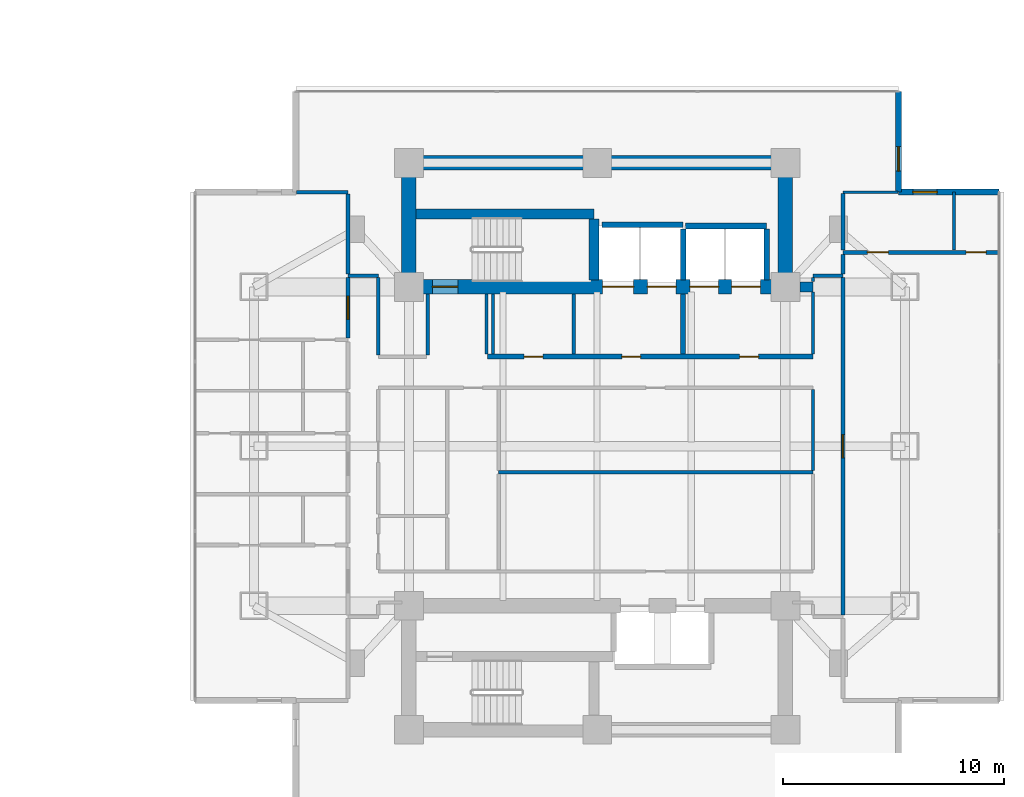
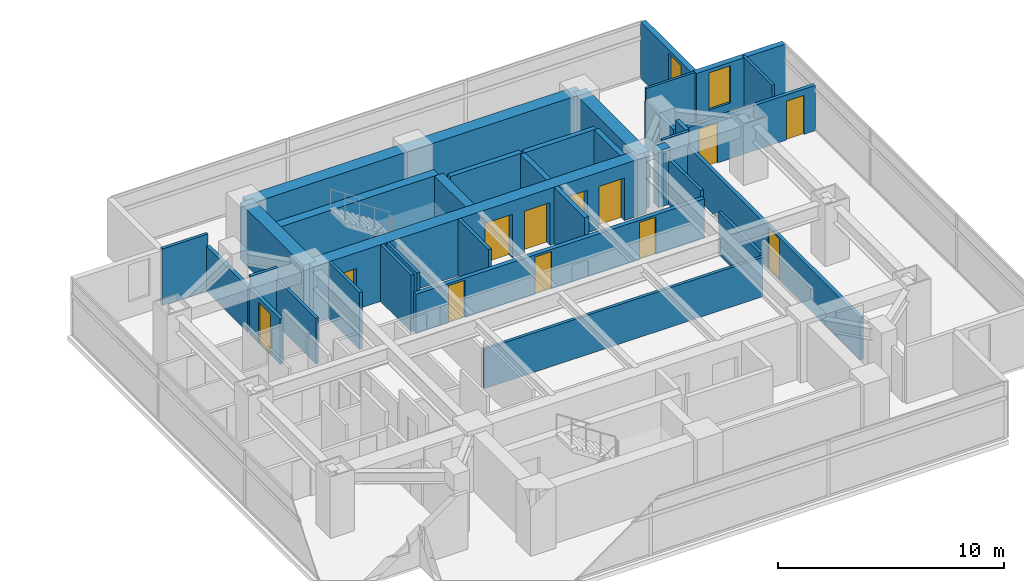
# One storey, part 17 of 24: 35 walls, 12 doors, 2 windows, 14 openings.
"""IFC4 building model written with IfcOpenShell, lengths in metres."""

import ifcopenshell
import ifcopenshell.guid

model = None  # the IFC model being written
_history = None  # IfcOwnerHistory: only IFC2X3 demands one
_inside = {}  # id of a spatial element -> (the spatial element, [elements in it])
_under = {}  # id of a project, library or spatial element -> (it, [spatial elements below it])
_declared = {}  # id of a project -> (the project, [libraries it declares])
_typed = {}  # id of a type object -> (the type object, [elements of that type])
_made_of = {}  # id of a material, layer set ... -> (it, [elements and type objects made of it])


def new_model(schema):
    """Start an empty IFC model of exactly this schema.

    Asked for "IFC4X3", IfcOpenShell would pick the latest addendum, in which some entities
    have other attributes; the version numbers below select the first issue.
    IFC2X3 requires an IfcOwnerHistory on every rooted entity: one is made here for all.
    """
    global model, _history
    if schema == "IFC4X3":
        model = ifcopenshell.file(schema_version=(4, 3, 0, 0))
    else:
        model = ifcopenshell.file(schema=schema)
    _inside.clear()
    _under.clear()
    _declared.clear()
    _typed.clear()
    _made_of.clear()
    _history = None
    if model.schema == "IFC2X3":
        org = make("IfcOrganization", Name="unknown")
        user = make(
            "IfcPersonAndOrganization",
            ThePerson=make("IfcPerson", FamilyName="unknown"),
            TheOrganization=org,
        )
        app = make(
            "IfcApplication",
            ApplicationDeveloper=org,
            Version="unknown",
            ApplicationFullName="unknown",
            ApplicationIdentifier="unknown",
        )
        _history = make(
            "IfcOwnerHistory",
            OwningUser=user,
            OwningApplication=app,
            ChangeAction="ADDED",
            CreationDate=0,
        )
    return model


def make(cls, **values):
    """One entity of the class cls with the attributes given. An attribute that is None is left unset."""
    return model.create_entity(
        cls, **{name: value for name, value in values.items() if value is not None}
    )


def rooted(cls, **values):
    """An entity with a GlobalId (a new one), such as an element, a storey or a relation."""
    return make(cls, GlobalId=ifcopenshell.guid.new(), OwnerHistory=_history, **values)


def si_unit(unit_type, name, prefix=None):
    """IfcSIUnit, for example si_unit("LENGTHUNIT", "METRE", prefix="MILLI")."""
    return make("IfcSIUnit", UnitType=unit_type, Prefix=prefix, Name=name)


def assignment(units):
    """IfcUnitAssignment: the units of a project."""
    return None if units is None else make("IfcUnitAssignment", Units=units)


def point(xyz):
    """IfcCartesianPoint."""
    return None if xyz is None else make("IfcCartesianPoint", Coordinates=xyz)


def direction(xyz):
    """IfcDirection."""
    return None if xyz is None else make("IfcDirection", DirectionRatios=xyz)


def frame(location, z_axis=None, x_axis=None):
    """IfcAxis2Placement3D, a coordinate frame: its origin and axes. An axis left out is left unset."""
    return make(
        "IfcAxis2Placement3D",
        Location=point(location),
        Axis=direction(z_axis),
        RefDirection=direction(x_axis),
    )


def frame_2d(location, x_axis=None):
    """IfcAxis2Placement2D, a coordinate frame in the plane: its origin and x axis."""
    return make(
        "IfcAxis2Placement2D", Location=point(location), RefDirection=direction(x_axis)
    )


def origin():
    """The frame at (0, 0, 0) with its axes left unset."""
    return frame((0.0, 0.0, 0.0))


def place(relative_to, where):
    """IfcLocalPlacement: puts the frame where relative to a parent placement (None: the world)."""
    return make(
        "IfcLocalPlacement", PlacementRelTo=relative_to, RelativePlacement=where
    )


def context(
    kind, dimensions, precision=None, world=None, true_north=None, identifier=None
):
    """IfcGeometricRepresentationContext, for example the 3D "Model" context."""
    return make(
        "IfcGeometricRepresentationContext",
        ContextIdentifier=identifier,
        ContextType=kind,
        CoordinateSpaceDimension=dimensions,
        Precision=precision,
        WorldCoordinateSystem=world,
        TrueNorth=true_north,
    )


def subcontext(parent, identifier, kind, view, scale=None):
    """IfcGeometricRepresentationSubContext, for example "Body" below "Model"."""
    return make(
        "IfcGeometricRepresentationSubContext",
        ContextIdentifier=identifier,
        ContextType=kind,
        ParentContext=parent,
        TargetScale=scale,
        TargetView=view,
    )


def project(units=None, contexts=None):
    """IfcProject with its units and contexts."""
    return rooted(
        "IfcProject",
        Name="project",
        RepresentationContexts=contexts,
        UnitsInContext=assignment(units),
    )


def spatial(cls, under=None, at=None, **own):
    """A site, building, storey or space (cls), placed at a placement, below another one or the project."""
    s = rooted(cls, ObjectPlacement=at, **own)
    if under is not None:
        _under.setdefault(under.id(), (under, []))[1].append(s)
    return s


def profile(cls, at=None, kind="AREA", **sizes):
    """A parametric profile (cls). Its sizes go by their IFC names, for example OverallWidth=200.0."""
    return make(cls, ProfileType=kind, Position=at, **sizes)


def rectangle(**sizes):
    """IfcRectangleProfileDef."""
    return profile("IfcRectangleProfileDef", **sizes)


def extrude(swept, where, along, depth):
    """IfcExtrudedAreaSolid: the profile swept, set in the frame where, extruded along a direction by depth."""
    return make(
        "IfcExtrudedAreaSolid",
        SweptArea=swept,
        Position=where,
        ExtrudedDirection=direction(along),
        Depth=depth,
    )


def shape(context_of_items, identifier, shape_type, items):
    """IfcShapeRepresentation: the items that make up one representation, for example the "Body"."""
    return make(
        "IfcShapeRepresentation",
        ContextOfItems=context_of_items,
        RepresentationIdentifier=identifier,
        RepresentationType=shape_type,
        Items=items,
    )


def material(Name=None, Category=None):
    """IfcMaterial."""
    return make("IfcMaterial", Name=Name, Category=Category)


def layer(
    of_material, thickness, ventilated=None, Name=None, Category=None, Priority=None
):
    """IfcMaterialLayer: one layer of a wall or slab, of a material (None: an air gap)."""
    return make(
        "IfcMaterialLayer",
        Material=of_material,
        LayerThickness=thickness,
        IsVentilated=ventilated,
        Name=Name,
        Category=Category,
        Priority=Priority,
    )


def layer_set(layers, Name=None):
    """IfcMaterialLayerSet."""
    return make("IfcMaterialLayerSet", MaterialLayers=layers, LayerSetName=Name)


def made_of(thing, what):
    """Note that an element or type object is made of a material, layer set ...; save() writes the relation."""
    if what is not None:
        _made_of.setdefault(what.id(), (what, []))[1].append(thing)
    return thing


def type_object(cls, material=None, **own):
    """A type object (cls), such as IfcWallType, which elements share."""
    return made_of(rooted(cls, **own), material)


def element(
    cls,
    number,
    at=None,
    inside=None,
    cuts=None,
    type_object=None,
    material=None,
    context=None,
    identifier="Body",
    shape_type=None,
    held_by="IfcProductDefinitionShape",
    body=None,
    shapes=None,
    **own,
):
    """One element of the class cls, such as IfcWall. Its Tag is "e" and its number.

    at: its placement. inside: the storey or other place that contains it. cuts: it is an
    opening in that element (IfcRelVoidsElement). A single representation is given by context,
    identifier, shape_type and body (its items); several are given by shapes. held_by: the class
    of the entity that holds the representations. save() writes the other relations.
    """
    e = rooted(cls, Tag="e%d" % number, ObjectPlacement=at, **own)
    if body is not None:
        shapes = [shape(context, identifier, shape_type, body)]
    if shapes is not None:
        e.Representation = make(held_by, Representations=shapes)
    if inside is not None:
        _inside.setdefault(inside.id(), (inside, []))[1].append(e)
    if cuts is not None:
        rooted(
            "IfcRelVoidsElement", RelatingBuildingElement=cuts, RelatedOpeningElement=e
        )
    if type_object is not None:
        _typed.setdefault(type_object.id(), (type_object, []))[1].append(e)
    return made_of(e, material)


def fill(opening, filler):
    """IfcRelFillsElement: the door or window that sits in an opening."""
    return rooted(
        "IfcRelFillsElement",
        RelatingOpeningElement=opening,
        RelatedBuildingElement=filler,
    )


def aggregate(whole, parts):
    """IfcRelAggregates: a whole, such as a stair, and the parts it consists of."""
    return rooted("IfcRelAggregates", RelatingObject=whole, RelatedObjects=parts)


def save(model, path):
    """Write the relations noted so far, then the file.

    IfcRelAggregates (storeys below a building ...), IfcRelContainedInSpatialStructure (elements
    in a storey), IfcRelDefinesByType, IfcRelAssociatesMaterial and IfcRelDeclares: one each for
    every whole, place, type object, material and project.
    """
    for whole, parts in _under.values():
        aggregate(whole, parts)
    for where, things in _inside.values():
        rooted(
            "IfcRelContainedInSpatialStructure",
            RelatedElements=things,
            RelatingStructure=where,
        )
    for kind, things in _typed.values():
        rooted("IfcRelDefinesByType", RelatedObjects=things, RelatingType=kind)
    for what, things in _made_of.values():
        rooted("IfcRelAssociatesMaterial", RelatedObjects=things, RelatingMaterial=what)
    for by, libraries in _declared.values():
        rooted("IfcRelDeclares", RelatingContext=by, RelatedDefinitions=libraries)
    model.write(path)


model = new_model("IFC4")

# Units and contexts
model_context = context("Model", 3, precision=1e-05, world=origin(), true_north=direction((0.0, 1.0)))
body_context = subcontext(model_context, "Body", "Model", "MODEL_VIEW")
ifc_project = project(units=[si_unit("LENGTHUNIT", "METRE"), si_unit("AREAUNIT", "SQUARE_METRE"), si_unit("VOLUMEUNIT", "CUBIC_METRE"), si_unit("PLANEANGLEUNIT", "RADIAN"), si_unit("MASSUNIT", "GRAM", prefix="KILO")], contexts=[model_context])

# Site, building, storey
site_placement = place(None, origin())
site = spatial("IfcSite", under=ifc_project, at=site_placement, CompositionType="ELEMENT")
building_placement = place(site_placement, origin())
building = spatial("IfcBuilding", under=site, at=building_placement, Name="Mirazonda Arch Towers", CompositionType="ELEMENT")
storey_placement = place(building_placement, frame((0.0, 0.0, 62.0)))
storey = spatial("IfcBuildingStorey", under=building, at=storey_placement, Name="L17", CompositionType="ELEMENT", Elevation=62.0)

# Walls
ifc_material_1 = material(Name="Concrete C50/60", Category="concrete")
ifc_layer_1 = layer(ifc_material_1, 0.449951171875, Name="WALL-CORE-450")
ifc_layer_set_1 = layer_set([ifc_layer_1], Name="Concrete C50/60")
wall_type_1 = type_object("IfcWallType", Name="WALL-CORE-450", PredefinedType="SHEAR", material=ifc_layer_set_1)
wall_1_placement = place(storey_placement, frame((85.6650390625, 35.199951171875, 0.0), z_axis=(0.0, 0.0, 1.0), x_axis=(1.0, 0.0, 0.0)))
element("IfcWall", 1, at=wall_1_placement, inside=storey, type_object=wall_type_1, Name="L17 Stair Core Shear Wall 045", PredefinedType="SHEAR", context=body_context, shape_type="SweptSolid", body=[
    extrude(rectangle(XDim=0.5849609375, YDim=0.449951171875, at=frame_2d((0.29248046875, 0.0))), origin(), (0.0, 0.0, 1.0), 3.06005859375),
])
wall_2_placement = place(storey_placement, frame((68.320068359375, 38.5, 0.0), z_axis=(0.0, 0.0, 1.0), x_axis=(1.0, 0.0, 0.0)))
element("IfcWall", 2, at=wall_2_placement, inside=storey, type_object=wall_type_1, Name="L17 Stair Core Shear Wall 052", PredefinedType="SHEAR", context=body_context, shape_type="SweptSolid", body=[
    extrude(rectangle(XDim=8.0400390625, YDim=0.449951171875, at=frame_2d((4.02001953125, 0.0))), origin(), (0.0, 0.0, 1.0), 3.06005859375),
])
wall_3_placement = place(storey_placement, frame((76.360107421875, 35.52001953125, 0.0), z_axis=(0.0, 0.0, 1.0), x_axis=(0.0, 1.0, 0.0)))
element("IfcWall", 3, at=wall_3_placement, inside=storey, type_object=wall_type_1, Name="L17 Stair Core Shear Wall 140", PredefinedType="SHEAR", context=body_context, shape_type="SweptSolid", body=[
    extrude(rectangle(XDim=2.744873046875, YDim=0.449951171875, at=frame_2d((1.37255859375, 0.0))), origin(), (0.0, 0.0, 1.0), 3.06005859375),
])
ifc_material_2 = material(Name="Concrete C60/75", Category="concrete")
ifc_layer_2 = layer(ifc_material_2, 0.64990234375, Name="WALL-CORE-650")
ifc_layer_set_2 = layer_set([ifc_layer_2], Name="Concrete C60/75")
wall_type_2 = type_object("IfcWallType", Name="WALL-CORE-650", PredefinedType="SHEAR", material=ifc_layer_set_2)
wall_4_placement = place(storey_placement, frame((68.0, 40.800048828125, 0.0), z_axis=(0.0, 0.0, 1.0), x_axis=(1.0, 0.0, 0.0)))
element("IfcWall", 4, at=wall_4_placement, inside=storey, type_object=wall_type_2, Name="L17 T2N-N Core Shear Wall", PredefinedType="SHEAR", context=body_context, shape_type="SweptSolid", body=[
    extrude(rectangle(XDim=17.0, YDim=0.64990234375, at=frame_2d((8.5, 0.0))), origin(), (0.0, 0.0, 1.0), 3.06005859375),
])
for number, where, z_axis, x_axis, name in (
    (5, (68.0, 35.199951171875, 0.0), (0.0, 0.0, 1.0), (0.0, 1.0, 0.0), "L17 T2N-W Core Shear Wall"),
    (6, (85.0, 35.199951171875, 0.0), (0.0, 0.0, 1.0), (0.0, 1.0, 0.0), "L17 T2N-E Core Shear Wall"),
):
    element("IfcWall", number, at=place(storey_placement, frame(where, z_axis=z_axis, x_axis=x_axis)), inside=storey, type_object=wall_type_2, Name=name, PredefinedType="SHEAR", context=body_context, shape_type="SweptSolid", body=[
        extrude(rectangle(XDim=5.60009765625, YDim=0.64990234375, at=frame_2d((2.800048828125, 0.0))), origin(), (0.0, 0.0, 1.0), 3.06005859375),
    ])

# Wall, openings, doors
wall_5_placement = place(storey_placement, frame((68.0, 35.199951171875, 0.0), z_axis=(0.0, 0.0, 1.0), x_axis=(1.0, 0.0, 0.0)))
wall_5 = element("IfcWall", 7, at=wall_5_placement, inside=storey, type_object=wall_type_2, Name="L17 T2N-S Core Shear Wall", PredefinedType="SHEAR", context=body_context, shape_type="SweptSolid", body=[
    extrude(rectangle(XDim=17.0, YDim=0.64990234375, at=frame_2d((8.5, 0.0))), origin(), (0.0, 0.0, 1.0), 3.06005859375),
])
opening_1_placement = place(wall_5_placement, frame((1.06005859375, 0.0, 0.0)))
opening_1 = element("IfcOpeningElement", 8, at=opening_1_placement, cuts=wall_5, Name="Opening DR-135", PredefinedType="OPENING", context=body_context, shape_type="SweptSolid", body=[
    extrude(rectangle(XDim=1.14990234375, YDim=2.199951171875, at=frame_2d((0.574951171875, 1.10009765625))), frame((0.0, 0.3349609375, 0.0), z_axis=(0.0, -1.0, 0.0), x_axis=(1.0, 0.0, 0.0)), (0.0, 0.0, 1.0), 0.669921875),
])
opening_2_placement = place(wall_5_placement, frame((8.75, 0.0, 0.0)))
opening_2 = element("IfcOpeningElement", 9, at=opening_2_placement, cuts=wall_5, Name="Opening LD-112", PredefinedType="OPENING", context=body_context, shape_type="SweptSolid", body=[
    extrude(rectangle(XDim=1.39990234375, YDim=2.35009765625, at=frame_2d((0.699951171875, 1.175048828125))), frame((0.0, 0.3349609375, 0.0), z_axis=(0.0, -1.0, 0.0), x_axis=(1.0, 0.0, 0.0)), (0.0, 0.0, 1.0), 0.669921875),
])
opening_3_placement = place(wall_5_placement, frame((10.77001953125, 0.0, 0.0)))
opening_3 = element("IfcOpeningElement", 10, at=opening_3_placement, cuts=wall_5, Name="Opening LD-111", PredefinedType="OPENING", context=body_context, shape_type="SweptSolid", body=[
    extrude(rectangle(XDim=1.300048828125, YDim=2.300048828125, at=frame_2d((0.64990234375, 1.14990234375))), frame((0.0, 0.3349609375, 0.0), z_axis=(0.0, -1.0, 0.0), x_axis=(1.0, 0.0, 0.0)), (0.0, 0.0, 1.0), 0.669921875),
])
opening_4_placement = place(wall_5_placement, frame((12.68994140625, 0.0, 0.0)))
opening_4 = element("IfcOpeningElement", 11, at=opening_4_placement, cuts=wall_5, Name="Opening LD-111", PredefinedType="OPENING", context=body_context, shape_type="SweptSolid", body=[
    extrude(rectangle(XDim=1.300048828125, YDim=2.300048828125, at=frame_2d((0.64990234375, 1.14990234375))), frame((0.0, 0.3349609375, 0.0), z_axis=(0.0, -1.0, 0.0), x_axis=(1.0, 0.0, 0.0)), (0.0, 0.0, 1.0), 0.669921875),
])
opening_5_placement = place(wall_5_placement, frame((14.570068359375, 0.0, 0.0)))
opening_5 = element("IfcOpeningElement", 12, at=opening_5_placement, cuts=wall_5, Name="Opening LD-111", PredefinedType="OPENING", context=body_context, shape_type="SweptSolid", body=[
    extrude(rectangle(XDim=1.300048828125, YDim=2.300048828125, at=frame_2d((0.64990234375, 1.14990234375))), frame((0.0, 0.3349609375, 0.0), z_axis=(0.0, -1.0, 0.0), x_axis=(1.0, 0.0, 0.0)), (0.0, 0.0, 1.0), 0.669921875),
])
ifc_material_3 = material(Name="Architectural Brushed Steel S355", Category="steel")
door_type_1 = type_object("IfcDoorType", Name="DOOR-LIFT-FFL-1400", OperationType="NOTDEFINED", PredefinedType="DOOR", material=ifc_material_3)
door_1_placement = place(opening_2_placement, origin())
door_1 = element("IfcDoor", 13, at=door_1_placement, inside=storey, type_object=door_type_1, Name="L17 Lift Landing Sliding Door FFL-T2", OperationType="DOUBLE_DOOR_SLIDING", OverallHeight=2.35009765625, OverallWidth=1.39990234375, PredefinedType="DOOR", context=body_context, shape_type="SweptSolid", body=[
    extrude(rectangle(XDim=1.39990234375, YDim=2.35009765625, at=frame_2d((0.699951171875, 1.175048828125))), frame((0.0, 0.02490234375, 0.0), z_axis=(0.0, -1.0, 0.0), x_axis=(1.0, 0.0, 0.0)), (0.0, 0.0, 1.0), 0.050048828125),
])
fill(opening_2, door_1)
door_type_2 = type_object("IfcDoorType", Name="DOOR-LIFT-LAND-1300", OperationType="NOTDEFINED", PredefinedType="DOOR", material=ifc_material_3)
door_2_placement = place(opening_3_placement, origin())
door_2 = element("IfcDoor", 14, at=door_2_placement, inside=storey, type_object=door_type_2, Name="L17 Lift Landing Sliding Door SVL-T2", OperationType="DOUBLE_DOOR_SLIDING", OverallHeight=2.300048828125, OverallWidth=1.300048828125, PredefinedType="DOOR", context=body_context, shape_type="SweptSolid", body=[
    extrude(rectangle(XDim=1.300048828125, YDim=2.300048828125, at=frame_2d((0.64990234375, 1.14990234375))), frame((0.0, 0.02490234375, 0.0), z_axis=(0.0, -1.0, 0.0), x_axis=(1.0, 0.0, 0.0)), (0.0, 0.0, 1.0), 0.050048828125),
])
fill(opening_3, door_2)
door_3_placement = place(opening_4_placement, origin())
door_3 = element("IfcDoor", 15, at=door_3_placement, inside=storey, type_object=door_type_2, Name="L17 Lift Landing Sliding Door PL-T2L1", OperationType="DOUBLE_DOOR_SLIDING", OverallHeight=2.300048828125, OverallWidth=1.300048828125, PredefinedType="DOOR", context=body_context, shape_type="SweptSolid", body=[
    extrude(rectangle(XDim=1.300048828125, YDim=2.300048828125, at=frame_2d((0.64990234375, 1.14990234375))), frame((0.0, 0.02490234375, 0.0), z_axis=(0.0, -1.0, 0.0), x_axis=(1.0, 0.0, 0.0)), (0.0, 0.0, 1.0), 0.050048828125),
])
fill(opening_4, door_3)
door_4_placement = place(opening_5_placement, origin())
door_4 = element("IfcDoor", 16, at=door_4_placement, inside=storey, type_object=door_type_2, Name="L17 Lift Landing Sliding Door PL-T2L2", OperationType="DOUBLE_DOOR_SLIDING", OverallHeight=2.300048828125, OverallWidth=1.300048828125, PredefinedType="DOOR", context=body_context, shape_type="SweptSolid", body=[
    extrude(rectangle(XDim=1.300048828125, YDim=2.300048828125, at=frame_2d((0.64990234375, 1.14990234375))), frame((0.0, 0.02490234375, 0.0), z_axis=(0.0, -1.0, 0.0), x_axis=(1.0, 0.0, 0.0)), (0.0, 0.0, 1.0), 0.050048828125),
])
fill(opening_5, door_4)
door_type_3 = type_object("IfcDoorType", Name="DOOR-STAIR-FD90-1150", OperationType="NOTDEFINED", PredefinedType="DOOR", material=ifc_material_3)
door_5_placement = place(opening_1_placement, origin())
door_5 = element("IfcDoor", 17, at=door_5_placement, inside=storey, type_object=door_type_3, Name="L17 East Protected Stair North Door", OperationType="SINGLE_SWING_LEFT", OverallHeight=2.199951171875, OverallWidth=1.14990234375, PredefinedType="DOOR", context=body_context, shape_type="SweptSolid", body=[
    extrude(rectangle(XDim=1.14990234375, YDim=2.199951171875, at=frame_2d((0.574951171875, 1.10009765625))), frame((0.0, 0.02490234375, 0.0), z_axis=(0.0, -1.0, 0.0), x_axis=(1.0, 0.0, 0.0)), (0.0, 0.0, 1.0), 0.050048828125),
])
fill(opening_1, door_5)

# Wall, opening, window
ifc_material_4 = material(Name="Precast Concrete C40/50", Category="concrete")
ifc_layer_3 = layer(ifc_material_4, 0.280029296875, Name="WALL-EXT-WALL-280")
ifc_layer_set_3 = layer_set([ifc_layer_3], Name="Precast Concrete C40/50")
wall_type_3 = type_object("IfcWallType", Name="WALL-EXT-WALL-280", PredefinedType="SOLIDWALL", material=ifc_layer_set_3)
wall_6_placement = place(storey_placement, frame((90.10791015625, 39.47998046875, 0.0), z_axis=(0.0, 0.0, 1.0), x_axis=(0.0, 1.0, 0.0)))
wall_6 = element("IfcWall", 18, at=wall_6_placement, inside=storey, type_object=wall_type_3, Name="L17 T2 Notched NE Corner Wall WL-L17-T2-CNE", PredefinedType="SOLIDWALL", context=body_context, shape_type="SweptSolid", body=[
    extrude(rectangle(XDim=4.5458984375, YDim=0.280029296875, at=frame_2d((2.27294921875, 0.0))), origin(), (0.0, 0.0, 1.0), 3.0400390625),
])
opening_6_placement = place(wall_6_placement, frame((0.949951171875, 0.0, 0.85009765625)))
opening_6 = element("IfcOpeningElement", 19, at=opening_6_placement, cuts=wall_6, Name="Opening WN-108", PredefinedType="OPENING", context=body_context, shape_type="SweptSolid", body=[
    extrude(rectangle(XDim=1.10009765625, YDim=2.0, at=frame_2d((0.550048828125, 1.0))), frame((0.0, 0.14990234375, 0.0), z_axis=(0.0, -1.0, 0.0), x_axis=(1.0, 0.0, 0.0)), (0.0, 0.0, 1.0), 0.300048828125),
])
ifc_material_5 = material(Name="Insulated Low-E Solar Glass", Category="glass")
window_type = type_object("IfcWindowType", Name="WIN-NOTCH-1100x2000", PartitioningType="SINGLE_PANEL", PredefinedType="WINDOW", material=ifc_material_5)
window_1_placement = place(opening_6_placement, origin())
window_1 = element("IfcWindow", 20, at=window_1_placement, inside=storey, type_object=window_type, Name="L17 Punched Facade Window WN-L17-T2-CNE", OverallHeight=2.0, OverallWidth=1.10009765625, PartitioningType="SINGLE_PANEL", PredefinedType="WINDOW", context=body_context, shape_type="SweptSolid", body=[
    extrude(rectangle(XDim=1.10009765625, YDim=2.0, at=frame_2d((0.550048828125, 1.0))), frame((0.0, 0.030029296875, 0.0), z_axis=(0.0, -1.0, 0.0), x_axis=(1.0, 0.0, 0.0)), (0.0, 0.0, 1.0), 0.06005859375),
])
fill(opening_6, window_1)

wall_7_placement = place(storey_placement, frame((94.654052734375, 39.47998046875, 0.0), z_axis=(0.0, 0.0, 1.0), x_axis=(-1.0, 0.0, 0.0)))
wall_7 = element("IfcWall", 21, at=wall_7_placement, inside=storey, type_object=wall_type_3, Name="L17 T2 Corner Notch Return Wall WL-L17-T2-CNE2", PredefinedType="SOLIDWALL", context=body_context, shape_type="SweptSolid", body=[
    extrude(rectangle(XDim=4.546142578125, YDim=0.280029296875, at=frame_2d((2.27294921875, 0.0))), origin(), (0.0, 0.0, 1.0), 3.0400390625),
])
opening_7_placement = place(wall_7_placement, frame((2.7958984375, 0.0, 0.85009765625)))
opening_7 = element("IfcOpeningElement", 22, at=opening_7_placement, cuts=wall_7, Name="Opening WN-108", PredefinedType="OPENING", context=body_context, shape_type="SweptSolid", body=[
    extrude(rectangle(XDim=1.10009765625, YDim=2.0, at=frame_2d((0.550048828125, 1.0))), frame((0.0, 0.14990234375, 0.0), z_axis=(0.0, -1.0, 0.0), x_axis=(1.0, 0.0, 0.0)), (0.0, 0.0, 1.0), 0.300048828125),
])
window_2_placement = place(opening_7_placement, origin())
window_2 = element("IfcWindow", 23, at=window_2_placement, inside=storey, type_object=window_type, Name="L17 Punched Facade Window WN-L17-T2-CNE2", OverallHeight=2.0, OverallWidth=1.10009765625, PartitioningType="SINGLE_PANEL", PredefinedType="WINDOW", context=body_context, shape_type="SweptSolid", body=[
    extrude(rectangle(XDim=1.10009765625, YDim=2.0, at=frame_2d((0.550048828125, 1.0))), frame((0.0, 0.030029296875, 0.0), z_axis=(0.0, -1.0, 0.0), x_axis=(1.0, 0.0, 0.0)), (0.0, 0.0, 1.0), 0.06005859375),
])
fill(opening_7, window_2)

# Wall, openings, doors
ifc_material_6 = material(Name="Concrete C40/50", Category="concrete")
ifc_layer_4 = layer(ifc_material_6, 0.219970703125, Name="WALL-FFL-220")
ifc_layer_set_4 = layer_set([ifc_layer_4], Name="Concrete C40/50")
wall_type_4 = type_object("IfcWallType", Name="WALL-FFL-220", PredefinedType="SOLIDWALL", material=ifc_layer_set_4)
wall_8_placement = place(storey_placement, frame((71.550048828125, 32.050048828125, 0.0), z_axis=(0.0, 0.0, 1.0), x_axis=(1.0, 0.0, 0.0)))
wall_8 = element("IfcWall", 24, at=wall_8_placement, inside=storey, type_object=wall_type_4, Name="L17 Interior Partition 039", PredefinedType="SOLIDWALL", context=body_context, shape_type="SweptSolid", body=[
    extrude(rectangle(XDim=14.699951171875, YDim=0.219970703125, at=frame_2d((7.35009765625, 0.0))), origin(), (0.0, 0.0, 1.0), 2.125),
])
opening_8_placement = place(wall_8_placement, frame((11.389892578125, 0.0, 0.0)))
opening_8 = element("IfcOpeningElement", 25, at=opening_8_placement, cuts=wall_8, Name="Opening DR-128", PredefinedType="OPENING", context=body_context, shape_type="SweptSolid", body=[
    extrude(rectangle(XDim=0.85009765625, YDim=2.010009765625, at=frame_2d((0.425048828125, 1.0048828125))), frame((0.0, 0.119873046875, 0.0), z_axis=(0.0, -1.0, 0.0), x_axis=(1.0, 0.0, 0.0)), (0.0, 0.0, 1.0), 0.239990234375),
])
opening_9_placement = place(wall_8_placement, frame((6.06494140625, 0.0, 0.0)))
opening_9 = element("IfcOpeningElement", 26, at=opening_9_placement, cuts=wall_8, Name="Opening DR-128", PredefinedType="OPENING", context=body_context, shape_type="SweptSolid", body=[
    extrude(rectangle(XDim=0.85009765625, YDim=2.010009765625, at=frame_2d((0.425048828125, 1.0048828125))), frame((0.0, 0.119873046875, 0.0), z_axis=(0.0, -1.0, 0.0), x_axis=(1.0, 0.0, 0.0)), (0.0, 0.0, 1.0), 0.239990234375),
])
opening_10_placement = place(wall_8_placement, frame((1.64990234375, 0.0, 0.0)))
opening_10 = element("IfcOpeningElement", 27, at=opening_10_placement, cuts=wall_8, Name="Opening DR-128", PredefinedType="OPENING", context=body_context, shape_type="SweptSolid", body=[
    extrude(rectangle(XDim=0.85009765625, YDim=2.010009765625, at=frame_2d((0.425048828125, 1.0048828125))), frame((0.0, 0.119873046875, 0.0), z_axis=(0.0, -1.0, 0.0), x_axis=(1.0, 0.0, 0.0)), (0.0, 0.0, 1.0), 0.239990234375),
])
door_type_4 = type_object("IfcDoorType", Name="DOOR-RISER-FD60-850", OperationType="NOTDEFINED", PredefinedType="DOOR", material=ifc_material_3)
door_6_placement = place(opening_8_placement, origin())
door_6 = element("IfcDoor", 28, at=door_6_placement, inside=storey, type_object=door_type_4, Name="L17 East Passenger Lift Lobby Door", OperationType="SINGLE_SWING_RIGHT", OverallHeight=2.010009765625, OverallWidth=0.85009765625, PredefinedType="DOOR", context=body_context, shape_type="SweptSolid", body=[
    extrude(rectangle(XDim=0.85009765625, YDim=2.010009765625, at=frame_2d((0.425048828125, 1.0048828125))), frame((0.0, 0.02490234375, 0.0), z_axis=(0.0, -1.0, 0.0), x_axis=(1.0, 0.0, 0.0)), (0.0, 0.0, 1.0), 0.050048828125),
])
fill(opening_8, door_6)
door_7_placement = place(opening_9_placement, origin())
door_7 = element("IfcDoor", 29, at=door_7_placement, inside=storey, type_object=door_type_4, Name="L17 East Firefighting Lift Lobby Door", OperationType="SINGLE_SWING_RIGHT", OverallHeight=2.010009765625, OverallWidth=0.85009765625, PredefinedType="DOOR", context=body_context, shape_type="SweptSolid", body=[
    extrude(rectangle(XDim=0.85009765625, YDim=2.010009765625, at=frame_2d((0.425048828125, 1.0048828125))), frame((0.0, 0.02490234375, 0.0), z_axis=(0.0, -1.0, 0.0), x_axis=(1.0, 0.0, 0.0)), (0.0, 0.0, 1.0), 0.050048828125),
])
fill(opening_9, door_7)
door_8_placement = place(opening_10_placement, origin())
door_8 = element("IfcDoor", 30, at=door_8_placement, inside=storey, type_object=door_type_4, Name="L17 Tower 2 Housekeeping & Linen Room Door", OperationType="SINGLE_SWING_LEFT", OverallHeight=2.010009765625, OverallWidth=0.85009765625, PredefinedType="DOOR", context=body_context, shape_type="SweptSolid", body=[
    extrude(rectangle(XDim=0.85009765625, YDim=2.010009765625, at=frame_2d((0.425048828125, 1.0048828125))), frame((0.0, 0.02490234375, 0.0), z_axis=(0.0, -1.0, 0.0), x_axis=(1.0, 0.0, 0.0)), (0.0, 0.0, 1.0), 0.050048828125),
])
fill(opening_10, door_8)

# Walls
wall_9_placement = place(storey_placement, frame((80.3798828125, 32.169921875, 0.0), z_axis=(0.0, 0.0, 1.0), x_axis=(0.0, 1.0, 0.0)))
element("IfcWall", 31, at=wall_9_placement, inside=storey, type_object=wall_type_4, Name="L17 Interior Partition 142", PredefinedType="SOLIDWALL", context=body_context, shape_type="SweptSolid", body=[
    extrude(rectangle(XDim=2.7099609375, YDim=0.219970703125, at=frame_2d((1.35498046875, 0.0))), origin(), (0.0, 0.0, 1.0), 3.06005859375),
])
ifc_material_7 = material(Name="Fire-Rated Gypsum Stud Partition")
ifc_layer_5 = layer(ifc_material_7, 0.14990234375, Name="WALL-PART-CORR-150")
ifc_layer_set_5 = layer_set([ifc_layer_5], Name="Fire-Rated Gypsum Stud Partition")
wall_type_5 = type_object("IfcWallType", Name="WALL-PART-CORR-150", PredefinedType="PARTITIONING", material=ifc_layer_set_5)
wall_10_placement = place(storey_placement, frame((72.050048828125, 26.83203125, 0.0), z_axis=(0.0, 0.0, 1.0), x_axis=(1.0, 0.0, 0.0)))
element("IfcWall", 32, at=wall_10_placement, inside=storey, type_object=wall_type_5, Name="L17 Interior Partition 030", PredefinedType="PARTITIONING", context=body_context, shape_type="SweptSolid", body=[
    extrude(rectangle(XDim=14.199951171875, YDim=0.14990234375, at=frame_2d((7.10009765625, 0.0))), origin(), (0.0, 0.0, 1.0), 2.125),
])
wall_11_placement = place(storey_placement, frame((65.25, 35.699951171875, 0.0), z_axis=(0.0, 0.0, 1.0), x_axis=(1.0, 0.0, 0.0)))
element("IfcWall", 33, at=wall_11_placement, inside=storey, type_object=wall_type_5, Name="L17 Interior Partition 046", PredefinedType="PARTITIONING", context=body_context, shape_type="SweptSolid", body=[
    extrude(rectangle(XDim=1.3701171875, YDim=0.14990234375, at=frame_2d((0.68505859375, 0.0))), origin(), (0.0, 0.0, 1.0), 3.06005859375),
])
wall_12_placement = place(storey_placement, frame((86.25, 35.699951171875, 0.0), z_axis=(0.0, 0.0, 1.0), x_axis=(1.0, 0.0, 0.0)))
element("IfcWall", 34, at=wall_12_placement, inside=storey, type_object=wall_type_5, Name="L17 Interior Partition 047", PredefinedType="PARTITIONING", context=body_context, shape_type="SweptSolid", body=[
    extrude(rectangle(XDim=1.35009765625, YDim=0.14990234375, at=frame_2d((0.675048828125, 0.0))), origin(), (0.0, 0.0, 1.0), 3.06005859375),
])
wall_13_placement = place(storey_placement, frame((62.912109375, 39.47998046875, 0.0), z_axis=(0.0, 0.0, 1.0), x_axis=(1.0, 0.0, 0.0)))
element("IfcWall", 35, at=wall_13_placement, inside=storey, type_object=wall_type_5, Name="L17 Interior Partition 053", PredefinedType="PARTITIONING", context=body_context, shape_type="SweptSolid", body=[
    extrude(rectangle(XDim=2.337890625, YDim=0.14990234375, at=frame_2d((1.1689453125, 0.0))), origin(), (0.0, 0.0, 1.0), 3.06005859375),
])
wall_14_placement = place(storey_placement, frame((66.6201171875, 32.135009765625, 0.0), z_axis=(0.0, 0.0, 1.0), x_axis=(0.0, 1.0, 0.0)))
element("IfcWall", 36, at=wall_14_placement, inside=storey, type_object=wall_type_5, Name="L17 Interior Partition 130", PredefinedType="PARTITIONING", context=body_context, shape_type="SweptSolid", body=[
    extrude(rectangle(XDim=3.47998046875, YDim=0.14990234375, at=frame_2d((1.739990234375, 0.0))), origin(), (0.0, 0.0, 1.0), 2.451904296875),
])
wall_15_placement = place(storey_placement, frame((68.85009765625, 32.135009765625, 0.0), z_axis=(0.0, 0.0, 1.0), x_axis=(0.0, 1.0, 0.0)))
element("IfcWall", 37, at=wall_15_placement, inside=storey, type_object=wall_type_5, Name="L17 Interior Partition 131", PredefinedType="PARTITIONING", context=body_context, shape_type="SweptSolid", body=[
    extrude(rectangle(XDim=2.744873046875, YDim=0.14990234375, at=frame_2d((1.37255859375, 0.0))), origin(), (0.0, 0.0, 1.0), 3.06005859375),
])
for number, where, z_axis, x_axis, name in (
    (38, (71.5, 32.169921875, 0.0), (0.0, 0.0, 1.0), (0.0, 1.0, 0.0), "L17 Interior Partition 134"),
    (39, (71.800048828125, 32.169921875, 0.0), (0.0, 0.0, 1.0), (0.0, 1.0, 0.0), "L17 Interior Partition 135"),
    (40, (75.449951171875, 32.169921875, 0.0), (0.0, 0.0, 1.0), (0.0, 1.0, 0.0), "L17 Interior Partition 138"),
):
    element("IfcWall", number, at=place(storey_placement, frame(where, z_axis=z_axis, x_axis=x_axis)), inside=storey, type_object=wall_type_5, Name=name, PredefinedType="PARTITIONING", context=body_context, shape_type="SweptSolid", body=[
        extrude(rectangle(XDim=2.7099609375, YDim=0.14990234375, at=frame_2d((1.35498046875, 0.0))), origin(), (0.0, 0.0, 1.0), 3.06005859375),
    ])
wall_16_placement = place(storey_placement, frame((86.25, 26.9169921875, 0.0), z_axis=(0.0, 0.0, 1.0), x_axis=(0.0, 1.0, 0.0)))
element("IfcWall", 41, at=wall_16_placement, inside=storey, type_object=wall_type_5, Name="L17 Interior Partition 148", PredefinedType="PARTITIONING", context=body_context, shape_type="SweptSolid", body=[
    extrude(rectangle(XDim=3.64794921875, YDim=0.14990234375, at=frame_2d((1.823974609375, 0.0))), origin(), (0.0, 0.0, 1.0), 2.279052734375),
])
wall_17_placement = place(storey_placement, frame((86.25, 32.169921875, 0.0), z_axis=(0.0, 0.0, 1.0), x_axis=(0.0, 1.0, 0.0)))
element("IfcWall", 42, at=wall_17_placement, inside=storey, type_object=wall_type_5, Name="L17 Interior Partition 149", PredefinedType="PARTITIONING", context=body_context, shape_type="SweptSolid", body=[
    extrude(rectangle(XDim=2.795166015625, YDim=0.14990234375, at=frame_2d((1.3974609375, 0.0))), origin(), (0.0, 0.0, 1.0), 2.451904296875),
])
wall_18_placement = place(storey_placement, frame((86.25, 35.43505859375, 0.0), z_axis=(0.0, 0.0, 1.0), x_axis=(0.0, 1.0, 0.0)))
element("IfcWall", 43, at=wall_18_placement, inside=storey, type_object=wall_type_5, Name="L17 Interior Partition 150", PredefinedType="PARTITIONING", context=body_context, shape_type="SweptSolid", body=[
    extrude(rectangle(XDim=0.179931640625, YDim=0.14990234375, at=frame_2d((0.08984375, 0.0))), origin(), (0.0, 0.0, 1.0), 2.451904296875),
])

# Wall, openings, doors
ifc_material_8 = material(Name="Fire-Rated Gypsum Twin-Stud Assembly")
ifc_layer_6 = layer(ifc_material_8, 0.179931640625, Name="WALL-PART-DEMISE-180")
ifc_layer_set_6 = layer_set([ifc_layer_6], Name="Fire-Rated Gypsum Twin-Stud Assembly")
wall_type_6 = type_object("IfcWallType", Name="WALL-PART-DEMISE-180", PredefinedType="PARTITIONING", material=ifc_layer_set_6)
wall_19_placement = place(storey_placement, frame((87.60009765625, 36.760009765625, 0.0), z_axis=(0.0, 0.0, 1.0), x_axis=(1.0, 0.0, 0.0)))
wall_19 = element("IfcWall", 44, at=wall_19_placement, inside=storey, type_object=wall_type_6, Name="L17 Interior Partition 048", PredefinedType="PARTITIONING", context=body_context, shape_type="SweptSolid", body=[
    extrude(rectangle(XDim=7.053955078125, YDim=0.179931640625, at=frame_2d((3.52685546875, 0.0))), origin(), (0.0, 0.0, 1.0), 2.43603515625),
])
opening_11_placement = place(wall_19_placement, frame((1.10205078125, 0.0, 0.0)))
opening_11 = element("IfcOpeningElement", 45, at=opening_11_placement, cuts=wall_19, Name="Opening DR-104", PredefinedType="OPENING", context=body_context, shape_type="SweptSolid", body=[
    extrude(rectangle(XDim=0.949951171875, YDim=2.14990234375, at=frame_2d((0.47509765625, 1.074951171875))), frame((0.0, 0.099853515625, 0.0), z_axis=(0.0, -1.0, 0.0), x_axis=(1.0, 0.0, 0.0)), (0.0, 0.0, 1.0), 0.199951171875),
])
opening_12_placement = place(wall_19_placement, frame((5.56396484375, 0.0, 0.0)))
opening_12 = element("IfcOpeningElement", 46, at=opening_12_placement, cuts=wall_19, Name="Opening DR-120", PredefinedType="OPENING", context=body_context, shape_type="SweptSolid", body=[
    extrude(rectangle(XDim=0.89990234375, YDim=2.10009765625, at=frame_2d((0.449951171875, 1.050048828125))), frame((0.0, 0.099853515625, 0.0), z_axis=(0.0, -1.0, 0.0), x_axis=(1.0, 0.0, 0.0)), (0.0, 0.0, 1.0), 0.199951171875),
])
door_type_5 = type_object("IfcDoorType", Name="DOOR-ROOM-950", OperationType="NOTDEFINED", PredefinedType="DOOR", material=ifc_material_3)
door_9_placement = place(opening_11_placement, origin())
door_9 = element("IfcDoor", 47, at=door_9_placement, inside=storey, type_object=door_type_5, Name="L17 Suite Bedroom 1 Door", OperationType="SINGLE_SWING_RIGHT", OverallHeight=2.14990234375, OverallWidth=0.949951171875, PredefinedType="DOOR", context=body_context, shape_type="SweptSolid", body=[
    extrude(rectangle(XDim=0.949951171875, YDim=2.14990234375, at=frame_2d((0.47509765625, 1.074951171875))), frame((0.0, 0.02490234375, 0.0), z_axis=(0.0, -1.0, 0.0), x_axis=(1.0, 0.0, 0.0)), (0.0, 0.0, 1.0), 0.050048828125),
])
fill(opening_11, door_9)
door_type_6 = type_object("IfcDoorType", Name="DOOR-WC-900", OperationType="NOTDEFINED", PredefinedType="DOOR", material=ifc_material_3)
door_10_placement = place(opening_12_placement, origin())
door_10 = element("IfcDoor", 48, at=door_10_placement, inside=storey, type_object=door_type_6, Name="L17 Suite En-Suite Bathroom 1 Door", OperationType="SINGLE_SWING_LEFT", OverallHeight=2.10009765625, OverallWidth=0.89990234375, PredefinedType="DOOR", context=body_context, shape_type="SweptSolid", body=[
    extrude(rectangle(XDim=0.89990234375, YDim=2.10009765625, at=frame_2d((0.449951171875, 1.050048828125))), frame((0.0, 0.02490234375, 0.0), z_axis=(0.0, -1.0, 0.0), x_axis=(1.0, 0.0, 0.0)), (0.0, 0.0, 1.0), 0.050048828125),
])
fill(opening_12, door_10)

# Wall, opening, door
wall_20_placement = place(storey_placement, frame((65.25, 32.89306640625, 0.0), z_axis=(0.0, 0.0, 1.0), x_axis=(0.0, 1.0, 0.0)))
wall_20 = element("IfcWall", 49, at=wall_20_placement, inside=storey, type_object=wall_type_6, Name="L17 Interior Partition 125", PredefinedType="PARTITIONING", context=body_context, shape_type="SweptSolid", body=[
    extrude(rectangle(XDim=2.721923828125, YDim=0.179931640625, at=frame_2d((1.36083984375, 0.0))), origin(), (0.0, 0.0, 1.0), 2.451904296875),
])
opening_13_placement = place(wall_20_placement, frame((0.8359375, 0.0, 0.0)))
opening_13 = element("IfcOpeningElement", 50, at=opening_13_placement, cuts=wall_20, Name="Opening DR-121", PredefinedType="OPENING", context=body_context, shape_type="SweptSolid", body=[
    extrude(rectangle(XDim=1.050048828125, YDim=2.199951171875, at=frame_2d((0.52490234375, 1.10009765625))), frame((0.0, 0.099853515625, 0.0), z_axis=(0.0, -1.0, 0.0), x_axis=(1.0, 0.0, 0.0)), (0.0, 0.0, 1.0), 0.199951171875),
])
door_type_7 = type_object("IfcDoorType", Name="DOOR-SUITE-FD60-1050", OperationType="NOTDEFINED", PredefinedType="DOOR", material=ifc_material_3)
door_11_placement = place(opening_13_placement, origin())
door_11 = element("IfcDoor", 51, at=door_11_placement, inside=storey, type_object=door_type_7, Name="L17 King Hotel Guestroom 3 Door", OperationType="SINGLE_SWING_RIGHT", OverallHeight=2.199951171875, OverallWidth=1.050048828125, PredefinedType="DOOR", context=body_context, shape_type="SweptSolid", body=[
    extrude(rectangle(XDim=1.050048828125, YDim=2.199951171875, at=frame_2d((0.52490234375, 1.10009765625))), frame((0.0, 0.02490234375, 0.0), z_axis=(0.0, -1.0, 0.0), x_axis=(1.0, 0.0, 0.0)), (0.0, 0.0, 1.0), 0.050048828125),
])
fill(opening_13, door_11)

# Wall
wall_21_placement = place(storey_placement, frame((65.25, 35.784912109375, 0.0), z_axis=(0.0, 0.0, 1.0), x_axis=(0.0, 1.0, 0.0)))
element("IfcWall", 52, at=wall_21_placement, inside=storey, type_object=wall_type_6, Name="L17 Interior Partition 126", PredefinedType="PARTITIONING", context=body_context, shape_type="SweptSolid", body=[
    extrude(rectangle(XDim=3.610107421875, YDim=0.179931640625, at=frame_2d((1.80517578125, 0.0))), origin(), (0.0, 0.0, 1.0), 2.43603515625),
])

# Wall, opening, door
wall_22_placement = place(storey_placement, frame((87.60009765625, 20.385009765625, 0.0), z_axis=(0.0, 0.0, 1.0), x_axis=(0.0, 1.0, 0.0)))
wall_22 = element("IfcWall", 53, at=wall_22_placement, inside=storey, type_object=wall_type_6, Name="L17 Interior Partition 152", PredefinedType="PARTITIONING", context=body_context, shape_type="SweptSolid", body=[
    extrude(rectangle(XDim=15.22998046875, YDim=0.179931640625, at=frame_2d((7.614990234375, 0.0))), origin(), (0.0, 0.0, 1.0), 2.279052734375),
])
opening_14_placement = place(wall_22_placement, frame((7.090087890625, 0.0, 0.0)))
opening_14 = element("IfcOpeningElement", 54, at=opening_14_placement, cuts=wall_22, Name="Opening DR-121", PredefinedType="OPENING", context=body_context, shape_type="SweptSolid", body=[
    extrude(rectangle(XDim=1.050048828125, YDim=2.199951171875, at=frame_2d((0.52490234375, 1.10009765625))), frame((0.0, 0.099853515625, 0.0), z_axis=(0.0, -1.0, 0.0), x_axis=(1.0, 0.0, 0.0)), (0.0, 0.0, 1.0), 0.199951171875),
])
door_12_placement = place(opening_14_placement, origin())
door_12 = element("IfcDoor", 55, at=door_12_placement, inside=storey, type_object=door_type_7, Name="L17 Presidential Hotel Suite 1 Door", OperationType="SINGLE_SWING_LEFT", OverallHeight=2.199951171875, OverallWidth=1.050048828125, PredefinedType="DOOR", context=body_context, shape_type="SweptSolid", body=[
    extrude(rectangle(XDim=1.050048828125, YDim=2.199951171875, at=frame_2d((0.52490234375, 1.10009765625))), frame((0.0, 0.02490234375, 0.0), z_axis=(0.0, -1.0, 0.0), x_axis=(1.0, 0.0, 0.0)), (0.0, 0.0, 1.0), 0.050048828125),
])
fill(opening_14, door_12)

# Walls
wall_23_placement = place(storey_placement, frame((87.60009765625, 35.784912109375, 0.0), z_axis=(0.0, 0.0, 1.0), x_axis=(0.0, 1.0, 0.0)))
element("IfcWall", 56, at=wall_23_placement, inside=storey, type_object=wall_type_6, Name="L17 Interior Partition 153", PredefinedType="PARTITIONING", context=body_context, shape_type="SweptSolid", body=[
    extrude(rectangle(XDim=0.875, YDim=0.179931640625, at=frame_2d((0.4375, 0.0))), origin(), (0.0, 0.0, 1.0), 3.06005859375),
])
wall_24_placement = place(storey_placement, frame((87.60009765625, 36.860107421875, 0.0), z_axis=(0.0, 0.0, 1.0), x_axis=(0.0, 1.0, 0.0)))
element("IfcWall", 57, at=wall_24_placement, inside=storey, type_object=wall_type_6, Name="L17 Interior Partition 154", PredefinedType="PARTITIONING", context=body_context, shape_type="SweptSolid", body=[
    extrude(rectangle(XDim=2.54736328125, YDim=0.179931640625, at=frame_2d((1.273681640625, 0.0))), origin(), (0.0, 0.0, 1.0), 2.43603515625),
])
ifc_material_9 = material(Name="Acoustic Fire-Rated Gypsum Partition")
ifc_layer_7 = layer(ifc_material_9, 0.125, Name="WALL-PART-UNIT-125")
ifc_layer_set_7 = layer_set([ifc_layer_7], Name="Acoustic Fire-Rated Gypsum Partition")
wall_type_7 = type_object("IfcWallType", Name="WALL-PART-UNIT-125", PredefinedType="PARTITIONING", material=ifc_layer_set_7)
wall_25_placement = place(storey_placement, frame((87.60009765625, 39.47998046875, 0.0), z_axis=(0.0, 0.0, 1.0), x_axis=(1.0, 0.0, 0.0)))
element("IfcWall", 58, at=wall_25_placement, inside=storey, type_object=wall_type_7, Name="L17 Interior Partition 054", PredefinedType="PARTITIONING", context=body_context, shape_type="SweptSolid", body=[
    extrude(rectangle(XDim=2.48779296875, YDim=0.125, at=frame_2d((1.243896484375, 0.0))), origin(), (0.0, 0.0, 1.0), 3.06005859375),
])
wall_26_placement = place(storey_placement, frame((92.614013671875, 36.860107421875, 0.0), z_axis=(0.0, 0.0, 1.0), x_axis=(0.0, 1.0, 0.0)))
element("IfcWall", 59, at=wall_26_placement, inside=storey, type_object=wall_type_7, Name="L17 Interior Partition 155", PredefinedType="PARTITIONING", context=body_context, shape_type="SweptSolid", body=[
    extrude(rectangle(XDim=2.619873046875, YDim=0.125, at=frame_2d((1.31005859375, 0.0))), origin(), (0.0, 0.0, 1.0), 3.06005859375),
])
ifc_layer_8 = layer(ifc_material_6, 0.25, Name="WALL-SHAFT-250")
ifc_layer_set_8 = layer_set([ifc_layer_8], Name="Concrete C40/50")
wall_type_8 = type_object("IfcWallType", Name="WALL-SHAFT-250", PredefinedType="SOLIDWALL", material=ifc_layer_set_8)
wall_27_placement = place(storey_placement, frame((80.5, 37.949951171875, 0.0), z_axis=(0.0, 0.0, 1.0), x_axis=(1.0, 0.0, 0.0)))
element("IfcWall", 60, at=wall_27_placement, inside=storey, type_object=wall_type_8, Name="L17 Interior Partition 050", PredefinedType="SOLIDWALL", context=body_context, shape_type="SweptSolid", body=[
    extrude(rectangle(XDim=3.64990234375, YDim=0.25, at=frame_2d((1.824951171875, 0.0))), origin(), (0.0, 0.0, 1.0), 3.06005859375),
])
wall_28_placement = place(storey_placement, frame((76.719970703125, 38.0, 0.0), z_axis=(0.0, 0.0, 1.0), x_axis=(1.0, 0.0, 0.0)))
element("IfcWall", 61, at=wall_28_placement, inside=storey, type_object=wall_type_8, Name="L17 Interior Partition 051", PredefinedType="SOLIDWALL", context=body_context, shape_type="SweptSolid", body=[
    extrude(rectangle(XDim=3.659912109375, YDim=0.25, at=frame_2d((1.830078125, 0.0))), origin(), (0.0, 0.0, 1.0), 3.06005859375),
])
for number, where, z_axis, x_axis, name in (
    (62, (80.3798828125, 35.52001953125, 0.0), (0.0, 0.0, 1.0), (0.0, 1.0, 0.0), "L17 Interior Partition 143"),
    (63, (84.14990234375, 35.52001953125, 0.0), (0.0, 0.0, 1.0), (0.0, 1.0, 0.0), "L17 Interior Partition 145"),
):
    element("IfcWall", number, at=place(storey_placement, frame(where, z_axis=z_axis, x_axis=x_axis)), inside=storey, type_object=wall_type_8, Name=name, PredefinedType="SOLIDWALL", context=body_context, shape_type="SweptSolid", body=[
        extrude(rectangle(XDim=2.294921875, YDim=0.25, at=frame_2d((1.1474609375, 0.0))), origin(), (0.0, 0.0, 1.0), 3.06005859375),
    ])

save(model, "model.ifc")
